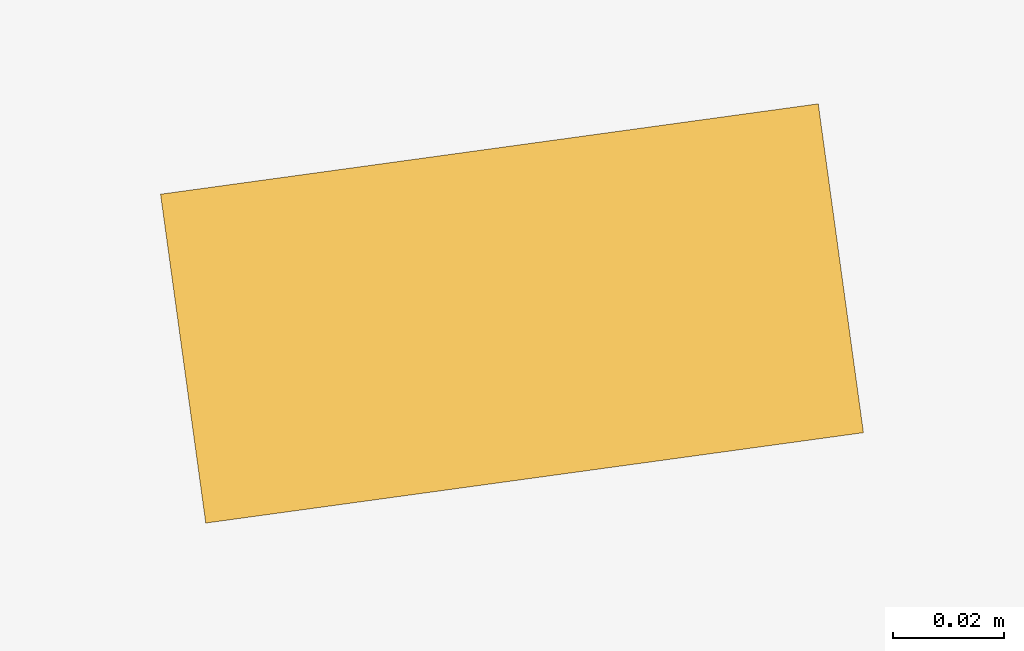
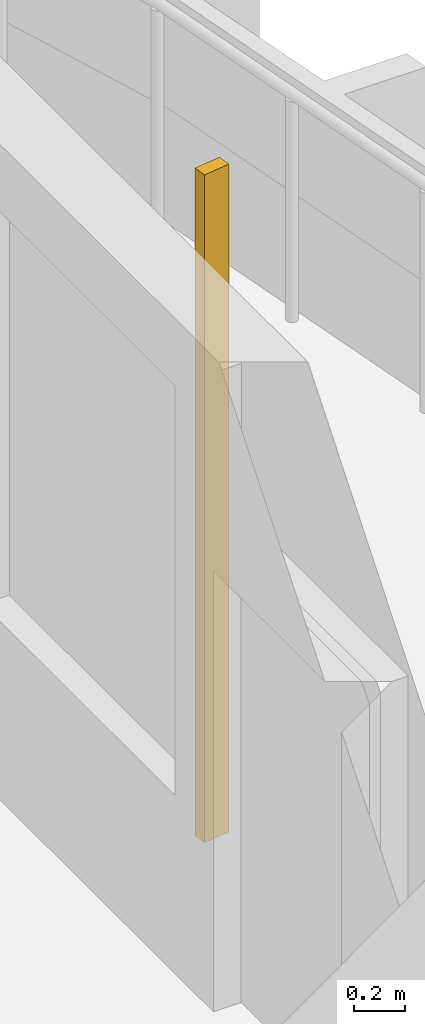
# One storey, part 21 of 23: 1 shading device.
"""IFC4 building model written with IfcOpenShell, lengths in metres."""

from ifc_helpers import new_model, si_unit, direction, frame, origin, origin_2d, place, context, subcontext, project, spatial, rectangle, extrude, source, transform, mapped, material, material_profile, profile_set, type_object, element, save


model = new_model("IFC4")

# Units and contexts
model_context = context("Model", 3, precision=1e-05, world=origin(), true_north=direction((0.0, 1.0)))
body_context = subcontext(model_context, "Body", "Model", "MODEL_VIEW")
ifc_project = project(units=[si_unit("LENGTHUNIT", "METRE"), si_unit("AREAUNIT", "SQUARE_METRE"), si_unit("VOLUMEUNIT", "CUBIC_METRE"), si_unit("PLANEANGLEUNIT", "RADIAN"), si_unit("MASSUNIT", "GRAM", prefix="KILO")], contexts=[model_context])

# Site, building, storey
site_placement = place(None, origin())
site = spatial("IfcSite", under=ifc_project, at=site_placement, CompositionType="ELEMENT")
building_placement = place(site_placement, origin())
building = spatial("IfcBuilding", under=site, at=building_placement, Name="Kilnfold Tower and Market Hall", CompositionType="ELEMENT")
storey_placement = place(building_placement, frame((0.0, 0.0, 203.300048828125)))
storey = spatial("IfcBuildingStorey", under=building, at=storey_placement, Name="L49", CompositionType="ELEMENT", Elevation=203.300048828125)

# Shading device
ifc_material = material(Name="Terracotta", Category="masonry")
ifc_material_profile = material_profile(ifc_material, rectangle(XDim=0.06005859375, YDim=0.1201171875, at=origin_2d()), Name="BAG 60x120")
ifc_profile_set = profile_set([ifc_material_profile], Name="Terracotta")
shading_device_type = type_object("IfcShadingDeviceType", Name="BAGUETTE", PredefinedType="USERDEFINED", material=ifc_profile_set)
shared_shape = source(origin(), body_context, "Body", "SweptSolid", [
    extrude(rectangle(XDim=0.06005859375, YDim=0.1201171875, at=origin_2d()), origin(), (0.0, 0.0, 1.0), 3.179931640625),
])
shading_device_placement = place(storey_placement, frame((31.550048828125, 2.3125, 0.0), z_axis=(0.0, 0.0, 1.0), x_axis=(-0.13616341648, 0.990686390344, 0.0)))
element("IfcShadingDevice", 1, at=shading_device_placement, inside=storey, type_object=shading_device_type, Name="Terracotta baguette L49 E", ObjectType="BAGUETTE", PredefinedType="USERDEFINED", context=body_context, shape_type="MappedRepresentation", body=[
    mapped(shared_shape, transform((0.0, 0.0, 0.0))),
])

save(model, "model.ifc")
